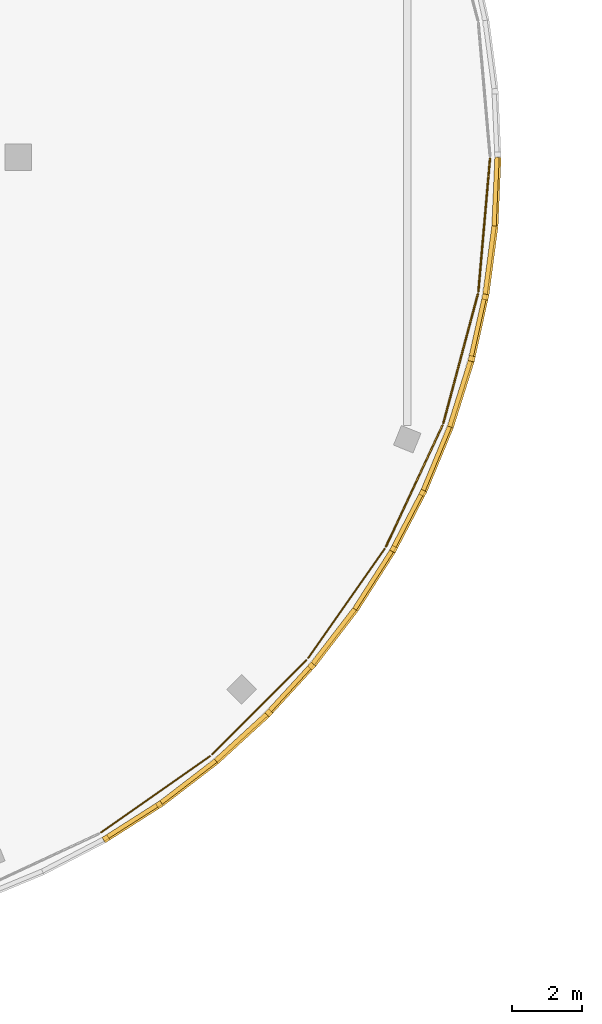
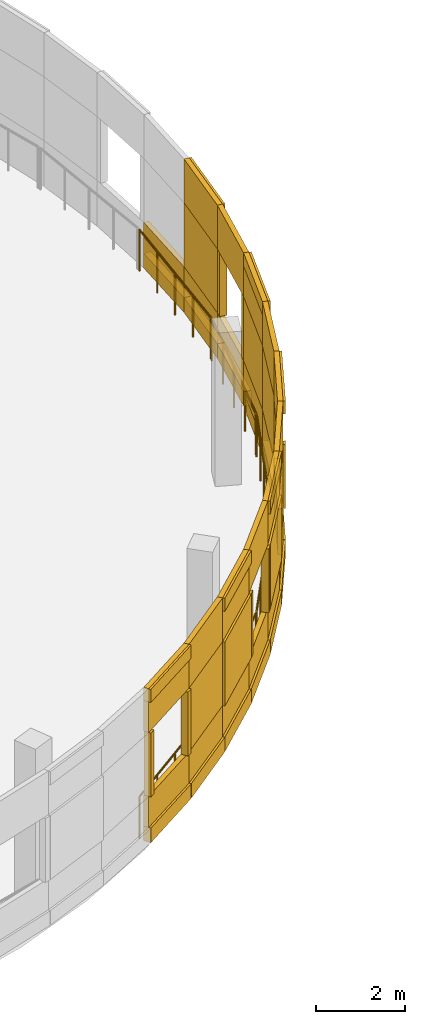
# One storey, part 130 of 132: 56 coverings, 6 railings.
"""IFC4 building model written with IfcOpenShell, lengths in metres."""

from ifc_helpers import new_model, si_unit, direction, frame, origin, origin_2d, place, context, subcontext, project, spatial, rectangle, circle, extrude, material, layer, layer_set, type_object, element, save


model = new_model("IFC4")

# Units and contexts
model_context = context("Model", 3, precision=1e-05, world=origin(), true_north=direction((0.0, 1.0)))
body_context = subcontext(model_context, "Body", "Model", "MODEL_VIEW")
ifc_project = project(units=[si_unit("LENGTHUNIT", "METRE"), si_unit("AREAUNIT", "SQUARE_METRE"), si_unit("VOLUMEUNIT", "CUBIC_METRE"), si_unit("PLANEANGLEUNIT", "RADIAN"), si_unit("MASSUNIT", "GRAM", prefix="KILO")], contexts=[model_context])

# Site, building, storey
site_placement = place(None, origin())
site = spatial("IfcSite", under=ifc_project, at=site_placement, CompositionType="ELEMENT")
building_placement = place(site_placement, origin())
building = spatial("IfcBuilding", under=site, at=building_placement, Name="Deido Ridge Mobility Hub", CompositionType="ELEMENT")
storey_placement = place(building_placement, frame((0.0, 0.0, 8.39990234375)))
storey = spatial("IfcBuildingStorey", under=building, at=storey_placement, Name="L02", CompositionType="ELEMENT", Elevation=8.39990234375)

# Coverings
ifc_material_1 = material(Name="Fired clay brick masonry", Category="masonry")
ifc_layer = layer(ifc_material_1, 0.114990234375, Name="Fired clay brick masonry")
ifc_layer_set = layer_set([ifc_layer], Name="Fired clay brick masonry")
covering_type = type_object("IfcCoveringType", Name="COV-BRK-SCREEN-115", PredefinedType="CLADDING", material=ifc_layer_set)
covering_1_placement = place(storey_placement, frame((129.049560546875, 84.5859375, 0.0), z_axis=(0.0, 0.0, 1.0), x_axis=(0.843382068037, 0.537314328223, 0.0)))
element("IfcCovering", 1, at=covering_1_placement, inside=storey, type_object=covering_type, Name="Open brickwork spandrel course BKS1 (L02)", PredefinedType="CLADDING", context=body_context, shape_type="SweptSolid", body=[
    extrude(rectangle(XDim=1.9619140625, YDim=0.125, at=origin_2d()), origin(), (0.0, 0.0, 1.0), 1.25),
])
covering_2_placement = place(storey_placement, frame((129.064208984375, 84.562744140625, 0.000244140625), z_axis=(0.0, 0.0, 1.0), x_axis=(0.843382068037, 0.537314328223, 0.0)))
element("IfcCovering", 2, at=covering_2_placement, inside=storey, type_object=covering_type, Name="Raised brick relief belt BKS1 (L02)", PredefinedType="CLADDING", context=body_context, shape_type="SweptSolid", body=[
    extrude(rectangle(XDim=1.9619140625, YDim=0.179931640625, at=origin_2d()), origin(), (0.0, 0.0, 1.0), 0.39990234375),
])
covering_3_placement = place(storey_placement, frame((129.049560546875, 84.5859375, 3.0), z_axis=(0.0, 0.0, 1.0), x_axis=(0.843382068037, 0.537314328223, 0.0)))
element("IfcCovering", 3, at=covering_3_placement, inside=storey, type_object=covering_type, Name="Open brickwork lintel course BKS1 (L02)", PredefinedType="CLADDING", context=body_context, shape_type="SweptSolid", body=[
    extrude(rectangle(XDim=1.9619140625, YDim=0.125, at=origin_2d()), origin(), (0.0, 0.0, 1.0), 1.199951171875),
])
covering_4_placement = place(storey_placement, frame((129.064208984375, 84.562744140625, 3.83984375), z_axis=(0.0, 0.0, 1.0), x_axis=(0.843382068037, 0.537314328223, 0.0)))
element("IfcCovering", 4, at=covering_4_placement, inside=storey, type_object=covering_type, Name="Raised brick relief cornice BKS1 (L02)", PredefinedType="CLADDING", context=body_context, shape_type="SweptSolid", body=[
    extrude(rectangle(XDim=1.9619140625, YDim=0.179931640625, at=origin_2d()), origin(), (0.0, 0.0, 1.0), 0.360107421875),
])
for number, where, z_axis, x_axis, name in (
    (5, (128.304443359375, 84.07861328125, 1.25), (0.0, 0.0, 1.0), (0.843382068037, 0.537314328223, 0.0), "Curved brick jamb nib BKS1 (L02)"),
    (6, (129.82421875, 85.046875, 1.25), (0.0, 0.0, 1.0), (0.843382068037, 0.537314328223, 0.0), "Curved brick jamb nib BKS1 (L02)"),
):
    element("IfcCovering", number, at=place(storey_placement, frame(where, z_axis=z_axis, x_axis=x_axis)), inside=storey, type_object=covering_type, Name=name, PredefinedType="CLADDING", context=body_context, shape_type="SweptSolid", body=[
        extrude(rectangle(XDim=0.152099609375, YDim=0.179931640625, at=origin_2d()), origin(), (0.0, 0.0, 1.0), 1.75),
    ])
covering_5_placement = place(storey_placement, frame((130.652099609375, 85.7080078125, 0.0), z_axis=(0.0, 0.0, 1.0), x_axis=(0.793353340291, 0.608761429009, 0.0)))
element("IfcCovering", 7, at=covering_5_placement, inside=storey, type_object=covering_type, Name="Open brickwork spandrel course BKS1 (L02)", PredefinedType="CLADDING", context=body_context, shape_type="SweptSolid", body=[
    extrude(rectangle(XDim=1.9619140625, YDim=0.125, at=origin_2d()), origin(), (0.0, 0.0, 1.0), 1.25),
])
covering_6_placement = place(storey_placement, frame((130.6689453125, 85.686279296875, 0.000244140625), z_axis=(0.0, 0.0, 1.0), x_axis=(0.793353340291, 0.608761429009, 0.0)))
element("IfcCovering", 8, at=covering_6_placement, inside=storey, type_object=covering_type, Name="Raised brick relief belt BKS1 (L02)", PredefinedType="CLADDING", context=body_context, shape_type="SweptSolid", body=[
    extrude(rectangle(XDim=1.9619140625, YDim=0.179931640625, at=origin_2d()), origin(), (0.0, 0.0, 1.0), 0.39990234375),
])
covering_7_placement = place(storey_placement, frame((130.652099609375, 85.7080078125, 3.0), z_axis=(0.0, 0.0, 1.0), x_axis=(0.793353340291, 0.608761429009, 0.0)))
element("IfcCovering", 9, at=covering_7_placement, inside=storey, type_object=covering_type, Name="Open brickwork lintel course BKS1 (L02)", PredefinedType="CLADDING", context=body_context, shape_type="SweptSolid", body=[
    extrude(rectangle(XDim=1.9619140625, YDim=0.125, at=origin_2d()), origin(), (0.0, 0.0, 1.0), 1.199951171875),
])
covering_8_placement = place(storey_placement, frame((130.652099609375, 85.7080078125, 1.25), z_axis=(0.0, 0.0, 1.0), x_axis=(0.793353340291, 0.608761429009, 0.0)))
element("IfcCovering", 10, at=covering_8_placement, inside=storey, type_object=covering_type, Name="Curved raised brickwork pier BKS1 (L02)", PredefinedType="CLADDING", context=body_context, shape_type="SweptSolid", body=[
    extrude(rectangle(XDim=1.9619140625, YDim=0.125, at=origin_2d()), origin(), (0.0, 0.0, 1.0), 1.75),
])
covering_9_placement = place(storey_placement, frame((132.15087890625, 86.9658203125, 0.0), z_axis=(0.0, 0.0, 1.0), x_axis=(0.737289127971, 0.675577339596, 0.0)))
element("IfcCovering", 11, at=covering_9_placement, inside=storey, type_object=covering_type, Name="Open brickwork spandrel course BKS1 (L02)", PredefinedType="CLADDING", context=body_context, shape_type="SweptSolid", body=[
    extrude(rectangle(XDim=1.9619140625, YDim=0.125, at=origin_2d()), origin(), (0.0, 0.0, 1.0), 1.25),
])
covering_10_placement = place(storey_placement, frame((132.16943359375, 86.9453125, 0.000244140625), z_axis=(0.0, 0.0, 1.0), x_axis=(0.737289127971, 0.675577339596, 0.0)))
element("IfcCovering", 12, at=covering_10_placement, inside=storey, type_object=covering_type, Name="Raised brick relief belt BKS1 (L02)", PredefinedType="CLADDING", context=body_context, shape_type="SweptSolid", body=[
    extrude(rectangle(XDim=1.9619140625, YDim=0.179931640625, at=origin_2d()), origin(), (0.0, 0.0, 1.0), 0.39990234375),
])
covering_11_placement = place(storey_placement, frame((132.15087890625, 86.9658203125, 3.0), z_axis=(0.0, 0.0, 1.0), x_axis=(0.737289127971, 0.675577339596, 0.0)))
element("IfcCovering", 13, at=covering_11_placement, inside=storey, type_object=covering_type, Name="Open brickwork lintel course BKS1 (L02)", PredefinedType="CLADDING", context=body_context, shape_type="SweptSolid", body=[
    extrude(rectangle(XDim=1.9619140625, YDim=0.125, at=origin_2d()), origin(), (0.0, 0.0, 1.0), 1.199951171875),
])
covering_12_placement = place(storey_placement, frame((132.16943359375, 86.9453125, 3.83984375), z_axis=(0.0, 0.0, 1.0), x_axis=(0.737289127971, 0.675577339596, 0.0)))
element("IfcCovering", 14, at=covering_12_placement, inside=storey, type_object=covering_type, Name="Raised brick relief cornice BKS1 (L02)", PredefinedType="CLADDING", context=body_context, shape_type="SweptSolid", body=[
    extrude(rectangle(XDim=1.9619140625, YDim=0.179931640625, at=origin_2d()), origin(), (0.0, 0.0, 1.0), 0.360107421875),
])
covering_13_placement = place(storey_placement, frame((132.16943359375, 86.9453125, 1.25), z_axis=(0.0, 0.0, 1.0), x_axis=(0.737289127971, 0.675577339596, 0.0)))
element("IfcCovering", 15, at=covering_13_placement, inside=storey, type_object=covering_type, Name="Curved raised brickwork pier BKS1 (L02)", PredefinedType="CLADDING", context=body_context, shape_type="SweptSolid", body=[
    extrude(rectangle(XDim=1.9619140625, YDim=0.179931640625, at=origin_2d()), origin(), (0.0, 0.0, 1.0), 1.75),
])
covering_14_placement = place(storey_placement, frame((133.5341796875, 88.34912109375, 0.0), z_axis=(0.0, 0.0, 1.0), x_axis=(0.675577339596, 0.737289127971, 0.0)))
element("IfcCovering", 16, at=covering_14_placement, inside=storey, type_object=covering_type, Name="Open brickwork spandrel course BKS1 (L02)", PredefinedType="CLADDING", context=body_context, shape_type="SweptSolid", body=[
    extrude(rectangle(XDim=1.9619140625, YDim=0.125, at=origin_2d()), origin(), (0.0, 0.0, 1.0), 1.25),
])
covering_15_placement = place(storey_placement, frame((133.5546875, 88.33056640625, 0.000244140625), z_axis=(0.0, 0.0, 1.0), x_axis=(0.675577339596, 0.737289127971, 0.0)))
element("IfcCovering", 17, at=covering_15_placement, inside=storey, type_object=covering_type, Name="Raised brick relief belt BKS1 (L02)", PredefinedType="CLADDING", context=body_context, shape_type="SweptSolid", body=[
    extrude(rectangle(XDim=1.9619140625, YDim=0.179931640625, at=origin_2d()), origin(), (0.0, 0.0, 1.0), 0.39990234375),
])
covering_16_placement = place(storey_placement, frame((133.5341796875, 88.34912109375, 3.0), z_axis=(0.0, 0.0, 1.0), x_axis=(0.675577339596, 0.737289127971, 0.0)))
element("IfcCovering", 18, at=covering_16_placement, inside=storey, type_object=covering_type, Name="Open brickwork lintel course BKS1 (L02)", PredefinedType="CLADDING", context=body_context, shape_type="SweptSolid", body=[
    extrude(rectangle(XDim=1.9619140625, YDim=0.125, at=origin_2d()), origin(), (0.0, 0.0, 1.0), 1.199951171875),
])
for number, where, z_axis, x_axis, name in (
    (19, (132.94580078125, 87.666259765625, 1.25), (0.0, 0.0, 1.0), (0.675577339596, 0.737289127971, 0.0), "Curved brick jamb nib BKS1 (L02)"),
    (20, (134.163330078125, 88.994873046875, 1.25), (0.0, 0.0, 1.0), (0.675577339596, 0.737289127971, 0.0), "Curved brick jamb nib BKS1 (L02)"),
):
    element("IfcCovering", number, at=place(storey_placement, frame(where, z_axis=z_axis, x_axis=x_axis)), inside=storey, type_object=covering_type, Name=name, PredefinedType="CLADDING", context=body_context, shape_type="SweptSolid", body=[
        extrude(rectangle(XDim=0.152099609375, YDim=0.179931640625, at=origin_2d()), origin(), (0.0, 0.0, 1.0), 1.75),
    ])
covering_17_placement = place(storey_placement, frame((134.7919921875, 89.847900390625, 0.0), z_axis=(0.0, 0.0, 1.0), x_axis=(0.608761429009, 0.793353340291, 0.0)))
element("IfcCovering", 21, at=covering_17_placement, inside=storey, type_object=covering_type, Name="Open brickwork spandrel course BKS1 (L02)", PredefinedType="CLADDING", context=body_context, shape_type="SweptSolid", body=[
    extrude(rectangle(XDim=1.9619140625, YDim=0.125, at=origin_2d()), origin(), (0.0, 0.0, 1.0), 1.25),
])
covering_18_placement = place(storey_placement, frame((134.813720703125, 89.8310546875, 0.000244140625), z_axis=(0.0, 0.0, 1.0), x_axis=(0.608761429009, 0.793353340291, 0.0)))
element("IfcCovering", 22, at=covering_18_placement, inside=storey, type_object=covering_type, Name="Raised brick relief belt BKS1 (L02)", PredefinedType="CLADDING", context=body_context, shape_type="SweptSolid", body=[
    extrude(rectangle(XDim=1.9619140625, YDim=0.179931640625, at=origin_2d()), origin(), (0.0, 0.0, 1.0), 0.39990234375),
])
covering_19_placement = place(storey_placement, frame((134.7919921875, 89.847900390625, 3.0), z_axis=(0.0, 0.0, 1.0), x_axis=(0.608761429009, 0.793353340291, 0.0)))
element("IfcCovering", 23, at=covering_19_placement, inside=storey, type_object=covering_type, Name="Open brickwork lintel course BKS1 (L02)", PredefinedType="CLADDING", context=body_context, shape_type="SweptSolid", body=[
    extrude(rectangle(XDim=1.9619140625, YDim=0.125, at=origin_2d()), origin(), (0.0, 0.0, 1.0), 1.199951171875),
])
covering_20_placement = place(storey_placement, frame((134.813720703125, 89.8310546875, 3.83984375), z_axis=(0.0, 0.0, 1.0), x_axis=(0.608761429009, 0.793353340291, 0.0)))
element("IfcCovering", 24, at=covering_20_placement, inside=storey, type_object=covering_type, Name="Raised brick relief cornice BKS1 (L02)", PredefinedType="CLADDING", context=body_context, shape_type="SweptSolid", body=[
    extrude(rectangle(XDim=1.9619140625, YDim=0.179931640625, at=origin_2d()), origin(), (0.0, 0.0, 1.0), 0.360107421875),
])
covering_21_placement = place(storey_placement, frame((134.813720703125, 89.8310546875, 1.25), z_axis=(0.0, 0.0, 1.0), x_axis=(0.608761429009, 0.793353340291, 0.0)))
element("IfcCovering", 25, at=covering_21_placement, inside=storey, type_object=covering_type, Name="Curved raised brickwork pier BKS1 (L02)", PredefinedType="CLADDING", context=body_context, shape_type="SweptSolid", body=[
    extrude(rectangle(XDim=1.9619140625, YDim=0.179931640625, at=origin_2d()), origin(), (0.0, 0.0, 1.0), 1.75),
])
covering_22_placement = place(storey_placement, frame((135.9140625, 91.450439453125, 0.0), z_axis=(0.0, 0.0, 1.0), x_axis=(0.537314328223, 0.843382068037, 0.0)))
element("IfcCovering", 26, at=covering_22_placement, inside=storey, type_object=covering_type, Name="Open brickwork spandrel course BKS1 (L02)", PredefinedType="CLADDING", context=body_context, shape_type="SweptSolid", body=[
    extrude(rectangle(XDim=1.9619140625, YDim=0.125, at=origin_2d()), origin(), (0.0, 0.0, 1.0), 1.25),
])
covering_23_placement = place(storey_placement, frame((135.937255859375, 91.435791015625, 0.000244140625), z_axis=(0.0, 0.0, 1.0), x_axis=(0.537314328223, 0.843382068037, 0.0)))
element("IfcCovering", 27, at=covering_23_placement, inside=storey, type_object=covering_type, Name="Raised brick relief belt BKS1 (L02)", PredefinedType="CLADDING", context=body_context, shape_type="SweptSolid", body=[
    extrude(rectangle(XDim=1.9619140625, YDim=0.179931640625, at=origin_2d()), origin(), (0.0, 0.0, 1.0), 0.39990234375),
])
covering_24_placement = place(storey_placement, frame((135.9140625, 91.450439453125, 3.0), z_axis=(0.0, 0.0, 1.0), x_axis=(0.537314328223, 0.843382068037, 0.0)))
element("IfcCovering", 28, at=covering_24_placement, inside=storey, type_object=covering_type, Name="Open brickwork lintel course BKS1 (L02)", PredefinedType="CLADDING", context=body_context, shape_type="SweptSolid", body=[
    extrude(rectangle(XDim=1.9619140625, YDim=0.125, at=origin_2d()), origin(), (0.0, 0.0, 1.0), 1.199951171875),
])
covering_25_placement = place(storey_placement, frame((135.9140625, 91.450439453125, 1.25), z_axis=(0.0, 0.0, 1.0), x_axis=(0.537314328223, 0.843382068037, 0.0)))
element("IfcCovering", 29, at=covering_25_placement, inside=storey, type_object=covering_type, Name="Curved raised brickwork pier BKS1 (L02)", PredefinedType="CLADDING", context=body_context, shape_type="SweptSolid", body=[
    extrude(rectangle(XDim=1.9619140625, YDim=0.125, at=origin_2d()), origin(), (0.0, 0.0, 1.0), 1.75),
])
covering_26_placement = place(storey_placement, frame((136.892333984375, 93.144775390625, 0.0), z_axis=(0.0, 0.0, 1.0), x_axis=(0.461733131905, 0.887018892077, 0.0)))
element("IfcCovering", 30, at=covering_26_placement, inside=storey, type_object=covering_type, Name="Open brickwork spandrel course BKS1 (L02)", PredefinedType="CLADDING", context=body_context, shape_type="SweptSolid", body=[
    extrude(rectangle(XDim=1.9619140625, YDim=0.125, at=origin_2d()), origin(), (0.0, 0.0, 1.0), 1.25),
])
covering_27_placement = place(storey_placement, frame((136.916748046875, 93.132080078125, 0.000244140625), z_axis=(0.0, 0.0, 1.0), x_axis=(0.461733131905, 0.887018892077, 0.0)))
element("IfcCovering", 31, at=covering_27_placement, inside=storey, type_object=covering_type, Name="Raised brick relief belt BKS1 (L02)", PredefinedType="CLADDING", context=body_context, shape_type="SweptSolid", body=[
    extrude(rectangle(XDim=1.9619140625, YDim=0.179931640625, at=origin_2d()), origin(), (0.0, 0.0, 1.0), 0.39990234375),
])
covering_28_placement = place(storey_placement, frame((136.892333984375, 93.144775390625, 3.0), z_axis=(0.0, 0.0, 1.0), x_axis=(0.461733131905, 0.887018892077, 0.0)))
element("IfcCovering", 32, at=covering_28_placement, inside=storey, type_object=covering_type, Name="Open brickwork lintel course BKS1 (L02)", PredefinedType="CLADDING", context=body_context, shape_type="SweptSolid", body=[
    extrude(rectangle(XDim=1.9619140625, YDim=0.125, at=origin_2d()), origin(), (0.0, 0.0, 1.0), 1.199951171875),
])
covering_29_placement = place(storey_placement, frame((136.916748046875, 93.132080078125, 3.83984375), z_axis=(0.0, 0.0, 1.0), x_axis=(0.461733131905, 0.887018892077, 0.0)))
element("IfcCovering", 33, at=covering_29_placement, inside=storey, type_object=covering_type, Name="Raised brick relief cornice BKS1 (L02)", PredefinedType="CLADDING", context=body_context, shape_type="SweptSolid", body=[
    extrude(rectangle(XDim=1.9619140625, YDim=0.179931640625, at=origin_2d()), origin(), (0.0, 0.0, 1.0), 0.360107421875),
])
for number, where, z_axis, x_axis, name in (
    (34, (136.50048828125, 92.332763671875, 1.25), (0.0, 0.0, 1.0), (0.461733131905, 0.887018892077, 0.0), "Curved brick jamb nib BKS1 (L02)"),
    (35, (137.332763671875, 93.931396484375, 1.25), (0.0, 0.0, 1.0), (0.461733131905, 0.887018892077, 0.0), "Curved brick jamb nib BKS1 (L02)"),
):
    element("IfcCovering", number, at=place(storey_placement, frame(where, z_axis=z_axis, x_axis=x_axis)), inside=storey, type_object=covering_type, Name=name, PredefinedType="CLADDING", context=body_context, shape_type="SweptSolid", body=[
        extrude(rectangle(XDim=0.152099609375, YDim=0.179931640625, at=origin_2d()), origin(), (0.0, 0.0, 1.0), 1.75),
    ])
covering_30_placement = place(storey_placement, frame((137.718994140625, 94.91796875, 0.0), z_axis=(0.0, 0.0, 1.0), x_axis=(0.382699557047, 0.923872853285, 0.0)))
element("IfcCovering", 36, at=covering_30_placement, inside=storey, type_object=covering_type, Name="Open brickwork spandrel course BKS1 (L02)", PredefinedType="CLADDING", context=body_context, shape_type="SweptSolid", body=[
    extrude(rectangle(XDim=1.9619140625, YDim=0.125, at=origin_2d()), origin(), (0.0, 0.0, 1.0), 1.25),
])
covering_31_placement = place(storey_placement, frame((137.744384765625, 94.9072265625, 0.000244140625), z_axis=(0.0, 0.0, 1.0), x_axis=(0.382699557047, 0.923872853285, 0.0)))
element("IfcCovering", 37, at=covering_31_placement, inside=storey, type_object=covering_type, Name="Raised brick relief belt BKS1 (L02)", PredefinedType="CLADDING", context=body_context, shape_type="SweptSolid", body=[
    extrude(rectangle(XDim=1.9619140625, YDim=0.179931640625, at=origin_2d()), origin(), (0.0, 0.0, 1.0), 0.39990234375),
])
covering_32_placement = place(storey_placement, frame((137.718994140625, 94.91796875, 3.0), z_axis=(0.0, 0.0, 1.0), x_axis=(0.382699557047, 0.923872853285, 0.0)))
element("IfcCovering", 38, at=covering_32_placement, inside=storey, type_object=covering_type, Name="Open brickwork lintel course BKS1 (L02)", PredefinedType="CLADDING", context=body_context, shape_type="SweptSolid", body=[
    extrude(rectangle(XDim=1.9619140625, YDim=0.125, at=origin_2d()), origin(), (0.0, 0.0, 1.0), 1.199951171875),
])
covering_33_placement = place(storey_placement, frame((137.718994140625, 94.91796875, 1.25), z_axis=(0.0, 0.0, 1.0), x_axis=(0.382699557047, 0.923872853285, 0.0)))
element("IfcCovering", 39, at=covering_33_placement, inside=storey, type_object=covering_type, Name="Curved raised brickwork pier BKS1 (L02)", PredefinedType="CLADDING", context=body_context, shape_type="SweptSolid", body=[
    extrude(rectangle(XDim=1.9619140625, YDim=0.125, at=origin_2d()), origin(), (0.0, 0.0, 1.0), 1.75),
])
covering_34_placement = place(storey_placement, frame((138.38818359375, 96.75634765625, 0.0), z_axis=(0.0, 0.0, 1.0), x_axis=(0.300672508319, 0.95372744678, 0.0)))
element("IfcCovering", 40, at=covering_34_placement, inside=storey, type_object=covering_type, Name="Open brickwork spandrel course BKS1 (L02)", PredefinedType="CLADDING", context=body_context, shape_type="SweptSolid", body=[
    extrude(rectangle(XDim=1.9619140625, YDim=0.125, at=origin_2d()), origin(), (0.0, 0.0, 1.0), 1.25),
])
covering_35_placement = place(storey_placement, frame((138.414306640625, 96.748046875, 0.000244140625), z_axis=(0.0, 0.0, 1.0), x_axis=(0.300672508319, 0.95372744678, 0.0)))
element("IfcCovering", 41, at=covering_35_placement, inside=storey, type_object=covering_type, Name="Raised brick relief belt BKS1 (L02)", PredefinedType="CLADDING", context=body_context, shape_type="SweptSolid", body=[
    extrude(rectangle(XDim=1.9619140625, YDim=0.179931640625, at=origin_2d()), origin(), (0.0, 0.0, 1.0), 0.39990234375),
])
covering_36_placement = place(storey_placement, frame((138.38818359375, 96.75634765625, 3.0), z_axis=(0.0, 0.0, 1.0), x_axis=(0.300672508319, 0.95372744678, 0.0)))
element("IfcCovering", 42, at=covering_36_placement, inside=storey, type_object=covering_type, Name="Open brickwork lintel course BKS1 (L02)", PredefinedType="CLADDING", context=body_context, shape_type="SweptSolid", body=[
    extrude(rectangle(XDim=1.9619140625, YDim=0.125, at=origin_2d()), origin(), (0.0, 0.0, 1.0), 1.199951171875),
])
covering_37_placement = place(storey_placement, frame((138.414306640625, 96.748046875, 3.83984375), z_axis=(0.0, 0.0, 1.0), x_axis=(0.300672508319, 0.95372744678, 0.0)))
element("IfcCovering", 43, at=covering_37_placement, inside=storey, type_object=covering_type, Name="Raised brick relief cornice BKS1 (L02)", PredefinedType="CLADDING", context=body_context, shape_type="SweptSolid", body=[
    extrude(rectangle(XDim=1.9619140625, YDim=0.179931640625, at=origin_2d()), origin(), (0.0, 0.0, 1.0), 0.360107421875),
])
covering_38_placement = place(storey_placement, frame((138.414306640625, 96.748046875, 1.25), z_axis=(0.0, 0.0, 1.0), x_axis=(0.300672508319, 0.95372744678, 0.0)))
element("IfcCovering", 44, at=covering_38_placement, inside=storey, type_object=covering_type, Name="Curved raised brickwork pier BKS1 (L02)", PredefinedType="CLADDING", context=body_context, shape_type="SweptSolid", body=[
    extrude(rectangle(XDim=1.9619140625, YDim=0.179931640625, at=origin_2d()), origin(), (0.0, 0.0, 1.0), 1.75),
])
covering_39_placement = place(storey_placement, frame((138.89453125, 98.64599609375, 0.0), z_axis=(0.0, 0.0, 1.0), x_axis=(0.216456653485, 0.976292229387, 0.0)))
element("IfcCovering", 45, at=covering_39_placement, inside=storey, type_object=covering_type, Name="Open brickwork spandrel course BKS1 (L02)", PredefinedType="CLADDING", context=body_context, shape_type="SweptSolid", body=[
    extrude(rectangle(XDim=1.9619140625, YDim=0.125, at=origin_2d()), origin(), (0.0, 0.0, 1.0), 1.25),
])
covering_40_placement = place(storey_placement, frame((138.92138671875, 98.64013671875, 0.000244140625), z_axis=(0.0, 0.0, 1.0), x_axis=(0.216456653485, 0.976292229387, 0.0)))
element("IfcCovering", 46, at=covering_40_placement, inside=storey, type_object=covering_type, Name="Raised brick relief belt BKS1 (L02)", PredefinedType="CLADDING", context=body_context, shape_type="SweptSolid", body=[
    extrude(rectangle(XDim=1.9619140625, YDim=0.179931640625, at=origin_2d()), origin(), (0.0, 0.0, 1.0), 0.39990234375),
])
covering_41_placement = place(storey_placement, frame((138.89453125, 98.64599609375, 3.0), z_axis=(0.0, 0.0, 1.0), x_axis=(0.216456653485, 0.976292229387, 0.0)))
element("IfcCovering", 47, at=covering_41_placement, inside=storey, type_object=covering_type, Name="Open brickwork lintel course BKS1 (L02)", PredefinedType="CLADDING", context=body_context, shape_type="SweptSolid", body=[
    extrude(rectangle(XDim=1.9619140625, YDim=0.125, at=origin_2d()), origin(), (0.0, 0.0, 1.0), 1.199951171875),
])
for number, where, z_axis, x_axis, name in (
    (48, (138.726318359375, 97.760498046875, 1.25), (0.0, 0.0, 1.0), (0.216456653485, 0.976292229387, 0.0), "Curved brick jamb nib BKS1 (L02)"),
    (49, (139.116455078125, 99.519775390625, 1.25), (0.0, 0.0, 1.0), (0.216456653485, 0.976292229387, 0.0), "Curved brick jamb nib BKS1 (L02)"),
):
    element("IfcCovering", number, at=place(storey_placement, frame(where, z_axis=z_axis, x_axis=x_axis)), inside=storey, type_object=covering_type, Name=name, PredefinedType="CLADDING", context=body_context, shape_type="SweptSolid", body=[
        extrude(rectangle(XDim=0.152099609375, YDim=0.179931640625, at=origin_2d()), origin(), (0.0, 0.0, 1.0), 1.75),
    ])
covering_42_placement = place(storey_placement, frame((139.234375, 100.57275390625, 0.0), z_axis=(0.0, 0.0, 1.0), x_axis=(0.130543496177, 0.991442583111, 0.0)))
element("IfcCovering", 50, at=covering_42_placement, inside=storey, type_object=covering_type, Name="Open brickwork spandrel course BKS1 (L02)", PredefinedType="CLADDING", context=body_context, shape_type="SweptSolid", body=[
    extrude(rectangle(XDim=1.9619140625, YDim=0.125, at=origin_2d()), origin(), (0.0, 0.0, 1.0), 1.25),
])
covering_43_placement = place(storey_placement, frame((139.26171875, 100.569091796875, 0.000244140625), z_axis=(0.0, 0.0, 1.0), x_axis=(0.130543496177, 0.991442583111, 0.0)))
element("IfcCovering", 51, at=covering_43_placement, inside=storey, type_object=covering_type, Name="Raised brick relief belt BKS1 (L02)", PredefinedType="CLADDING", context=body_context, shape_type="SweptSolid", body=[
    extrude(rectangle(XDim=1.9619140625, YDim=0.179931640625, at=origin_2d()), origin(), (0.0, 0.0, 1.0), 0.39990234375),
])
covering_44_placement = place(storey_placement, frame((139.234375, 100.57275390625, 3.0), z_axis=(0.0, 0.0, 1.0), x_axis=(0.130543496177, 0.991442583111, 0.0)))
element("IfcCovering", 52, at=covering_44_placement, inside=storey, type_object=covering_type, Name="Open brickwork lintel course BKS1 (L02)", PredefinedType="CLADDING", context=body_context, shape_type="SweptSolid", body=[
    extrude(rectangle(XDim=1.9619140625, YDim=0.125, at=origin_2d()), origin(), (0.0, 0.0, 1.0), 1.199951171875),
])
covering_45_placement = place(storey_placement, frame((139.26171875, 100.569091796875, 3.83984375), z_axis=(0.0, 0.0, 1.0), x_axis=(0.130543496177, 0.991442583111, 0.0)))
element("IfcCovering", 53, at=covering_45_placement, inside=storey, type_object=covering_type, Name="Raised brick relief cornice BKS1 (L02)", PredefinedType="CLADDING", context=body_context, shape_type="SweptSolid", body=[
    extrude(rectangle(XDim=1.9619140625, YDim=0.179931640625, at=origin_2d()), origin(), (0.0, 0.0, 1.0), 0.360107421875),
])
covering_46_placement = place(storey_placement, frame((139.26171875, 100.569091796875, 1.25), z_axis=(0.0, 0.0, 1.0), x_axis=(0.130543496177, 0.991442583111, 0.0)))
element("IfcCovering", 54, at=covering_46_placement, inside=storey, type_object=covering_type, Name="Curved raised brickwork pier BKS1 (L02)", PredefinedType="CLADDING", context=body_context, shape_type="SweptSolid", body=[
    extrude(rectangle(XDim=1.9619140625, YDim=0.179931640625, at=origin_2d()), origin(), (0.0, 0.0, 1.0), 1.75),
])
covering_47_placement = place(storey_placement, frame((139.40478515625, 102.521728515625, 0.0), z_axis=(0.0, 0.0, 1.0), x_axis=(0.043601950678, 0.999048982732, 0.0)))
element("IfcCovering", 55, at=covering_47_placement, inside=storey, type_object=covering_type, Name="Open brickwork spandrel course BKS1 (L02)", PredefinedType="CLADDING", context=body_context, shape_type="SweptSolid", body=[
    extrude(rectangle(XDim=1.9619140625, YDim=0.125, at=origin_2d()), origin(), (0.0, 0.0, 1.0), 1.25),
])
covering_48_placement = place(storey_placement, frame((139.432373046875, 102.5205078125, 0.000244140625), z_axis=(0.0, 0.0, 1.0), x_axis=(0.043601950678, 0.999048982732, 0.0)))
element("IfcCovering", 56, at=covering_48_placement, inside=storey, type_object=covering_type, Name="Raised brick relief belt BKS1 (L02)", PredefinedType="CLADDING", context=body_context, shape_type="SweptSolid", body=[
    extrude(rectangle(XDim=1.9619140625, YDim=0.179931640625, at=origin_2d()), origin(), (0.0, 0.0, 1.0), 0.39990234375),
])

# Railings
ifc_material_2 = material(Name="Galvanised steel work", Category="steel")
railing_type = type_object("IfcRailingType", Name="RL-GRD-EXT-1150", PredefinedType="GUARDRAIL", material=ifc_material_2)
railing_1_placement = place(storey_placement, frame((128.15771484375, 84.25390625, 0.0)))
element("IfcRailing", 57, at=railing_1_placement, inside=storey, type_object=railing_type, Name="Parking drum perimeter guard (L02)", PredefinedType="GUARDRAIL", context=body_context, shape_type="SweptSolid", body=[
    extrude(circle(Radius=0.02392578125, at=origin_2d()), frame((0.0, 0.0, 1.1259765625), z_axis=(0.819156425271, 0.573570179609, 0.0), x_axis=(-0.573570179609, 0.819156425271, 0.0)), (0.0, 0.0, 1.0), 3.798583984375),
    extrude(circle(Radius=0.02099609375, at=origin_2d()), origin(), (0.0, 0.0, 1.0), 1.101806640625),
    extrude(circle(Radius=0.02099609375, at=origin_2d()), frame((0.77783203125, 0.544677734375, 0.0)), (0.0, 0.0, 1.0), 1.101806640625),
    extrude(circle(Radius=0.02099609375, at=origin_2d()), frame((1.5556640625, 1.08935546875, 0.0)), (0.0, 0.0, 1.0), 1.101806640625),
    extrude(circle(Radius=0.02099609375, at=origin_2d()), frame((2.333740234375, 1.634033203125, 0.0)), (0.0, 0.0, 1.0), 1.101806640625),
    extrude(circle(Radius=0.02099609375, at=origin_2d()), frame((3.111572265625, 2.1787109375, 0.0)), (0.0, 0.0, 1.0), 1.101806640625),
])
railing_2_placement = place(storey_placement, frame((131.330322265625, 86.48388671875, 0.0)))
element("IfcRailing", 58, at=railing_2_placement, inside=storey, type_object=railing_type, Name="Parking drum perimeter guard (L02)", PredefinedType="GUARDRAIL", context=body_context, shape_type="SweptSolid", body=[
    extrude(circle(Radius=0.02392578125, at=origin_2d()), frame((0.0, 0.0, 1.1259765625), z_axis=(0.707106781187, 0.707106781187, 0.0), x_axis=(-0.707106781187, 0.707106781187, 0.0)), (0.0, 0.0, 1.0), 3.79833984375),
    extrude(circle(Radius=0.02099609375, at=origin_2d()), origin(), (0.0, 0.0, 1.0), 1.101806640625),
    extrude(circle(Radius=0.02099609375, at=origin_2d()), frame((0.67138671875, 0.67138671875, 0.0)), (0.0, 0.0, 1.0), 1.101806640625),
    extrude(circle(Radius=0.02099609375, at=origin_2d()), frame((1.3427734375, 1.3427734375, 0.0)), (0.0, 0.0, 1.0), 1.101806640625),
    extrude(circle(Radius=0.02099609375, at=origin_2d()), frame((2.014404296875, 2.014404296875, 0.0)), (0.0, 0.0, 1.0), 1.101806640625),
    extrude(circle(Radius=0.02099609375, at=origin_2d()), frame((2.685791015625, 2.685791015625, 0.0)), (0.0, 0.0, 1.0), 1.101806640625),
])
railing_3_placement = place(storey_placement, frame((134.0673828125, 89.230712890625, 0.0)))
element("IfcRailing", 59, at=railing_3_placement, inside=storey, type_object=railing_type, Name="Parking drum perimeter guard (L02)", PredefinedType="GUARDRAIL", context=body_context, shape_type="SweptSolid", body=[
    extrude(circle(Radius=0.02392578125, at=origin_2d()), frame((0.0, 0.0, 1.1259765625), z_axis=(0.573570179609, 0.819156425271, 0.0), x_axis=(-0.819156425271, 0.573570179609, 0.0)), (0.0, 0.0, 1.0), 3.798583984375),
    extrude(circle(Radius=0.02099609375, at=origin_2d()), origin(), (0.0, 0.0, 1.0), 1.101806640625),
    extrude(circle(Radius=0.02099609375, at=origin_2d()), frame((0.544677734375, 0.77783203125, 0.0)), (0.0, 0.0, 1.0), 1.101806640625),
    extrude(circle(Radius=0.02099609375, at=origin_2d()), frame((1.08935546875, 1.5556640625, 0.0)), (0.0, 0.0, 1.0), 1.101806640625),
    extrude(circle(Radius=0.02099609375, at=origin_2d()), frame((1.634033203125, 2.333740234375, 0.0)), (0.0, 0.0, 1.0), 1.101806640625),
    extrude(circle(Radius=0.02099609375, at=origin_2d()), frame((2.1787109375, 3.111572265625, 0.0)), (0.0, 0.0, 1.0), 1.101806640625),
])
railing_4_placement = place(storey_placement, frame((136.285888671875, 92.411376953125, 0.0)))
element("IfcRailing", 60, at=railing_4_placement, inside=storey, type_object=railing_type, Name="Parking drum perimeter guard (L02)", PredefinedType="GUARDRAIL", context=body_context, shape_type="SweptSolid", body=[
    extrude(circle(Radius=0.02392578125, at=origin_2d()), frame((0.0, 0.0, 1.1259765625), z_axis=(0.422674330627, 0.906281639574, 0.0), x_axis=(-0.906281639574, 0.422674330627, 0.0)), (0.0, 0.0, 1.0), 3.79833984375),
    extrude(circle(Radius=0.02099609375, at=origin_2d()), origin(), (0.0, 0.0, 1.0), 1.101806640625),
    extrude(circle(Radius=0.02099609375, at=origin_2d()), frame((0.4013671875, 0.860595703125, 0.0)), (0.0, 0.0, 1.0), 1.101806640625),
    extrude(circle(Radius=0.02099609375, at=origin_2d()), frame((0.802734375, 1.72119140625, 0.0)), (0.0, 0.0, 1.0), 1.101806640625),
    extrude(circle(Radius=0.02099609375, at=origin_2d()), frame((1.2041015625, 2.581787109375, 0.0)), (0.0, 0.0, 1.0), 1.101806640625),
    extrude(circle(Radius=0.02099609375, at=origin_2d()), frame((1.60546875, 3.4423828125, 0.0)), (0.0, 0.0, 1.0), 1.101806640625),
])
railing_5_placement = place(storey_placement, frame((137.918701171875, 95.9287109375, 0.0)))
element("IfcRailing", 61, at=railing_5_placement, inside=storey, type_object=railing_type, Name="Parking drum perimeter guard (L02)", PredefinedType="GUARDRAIL", context=body_context, shape_type="SweptSolid", body=[
    extrude(circle(Radius=0.02392578125, at=origin_2d()), frame((0.0, 0.0, 1.1259765625), z_axis=(0.258774639064, 0.965937723757, 0.0), x_axis=(-0.965937723757, 0.258774639064, 0.0)), (0.0, 0.0, 1.0), 3.79833984375),
    extrude(circle(Radius=0.02099609375, at=origin_2d()), origin(), (0.0, 0.0, 1.0), 1.101806640625),
    extrude(circle(Radius=0.02099609375, at=origin_2d()), frame((0.24560546875, 0.917236328125, 0.0)), (0.0, 0.0, 1.0), 1.101806640625),
    extrude(circle(Radius=0.02099609375, at=origin_2d()), frame((0.491455078125, 1.83447265625, 0.0)), (0.0, 0.0, 1.0), 1.101806640625),
    extrude(circle(Radius=0.02099609375, at=origin_2d()), frame((0.7373046875, 2.751708984375, 0.0)), (0.0, 0.0, 1.0), 1.101806640625),
    extrude(circle(Radius=0.02099609375, at=origin_2d()), frame((0.98291015625, 3.6689453125, 0.0)), (0.0, 0.0, 1.0), 1.101806640625),
])
railing_6_placement = place(storey_placement, frame((138.91552734375, 99.676025390625, 0.0)))
element("IfcRailing", 62, at=railing_6_placement, inside=storey, type_object=railing_type, Name="Parking drum perimeter guard (L02)", PredefinedType="GUARDRAIL", context=body_context, shape_type="SweptSolid", body=[
    extrude(circle(Radius=0.02392578125, at=origin_2d()), frame((0.0, 0.0, 1.1259765625), z_axis=(0.08715100469, 0.996195112607, 0.0), x_axis=(-0.996195112607, 0.08715100469, 0.0)), (0.0, 0.0, 1.0), 3.798583984375),
    extrude(circle(Radius=0.02099609375, at=origin_2d()), origin(), (0.0, 0.0, 1.0), 1.101806640625),
    extrude(circle(Radius=0.02099609375, at=origin_2d()), frame((0.082763671875, 0.946044921875, 0.0)), (0.0, 0.0, 1.0), 1.101806640625),
    extrude(circle(Radius=0.02099609375, at=origin_2d()), frame((0.16552734375, 1.89208984375, 0.0)), (0.0, 0.0, 1.0), 1.101806640625),
    extrude(circle(Radius=0.02099609375, at=origin_2d()), frame((0.248291015625, 2.838134765625, 0.0)), (0.0, 0.0, 1.0), 1.101806640625),
    extrude(circle(Radius=0.02099609375, at=origin_2d()), frame((0.3310546875, 3.7841796875, 0.0)), (0.0, 0.0, 1.0), 1.101806640625),
])

save(model, "model.ifc")
